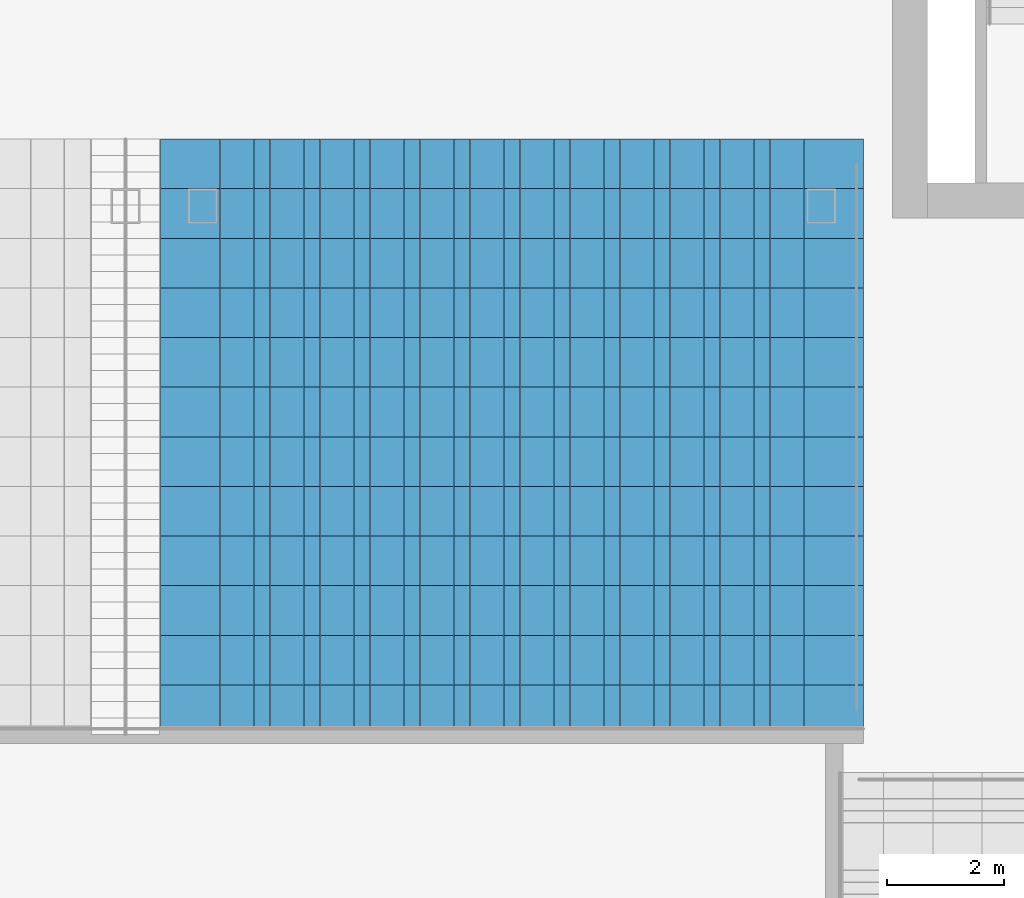
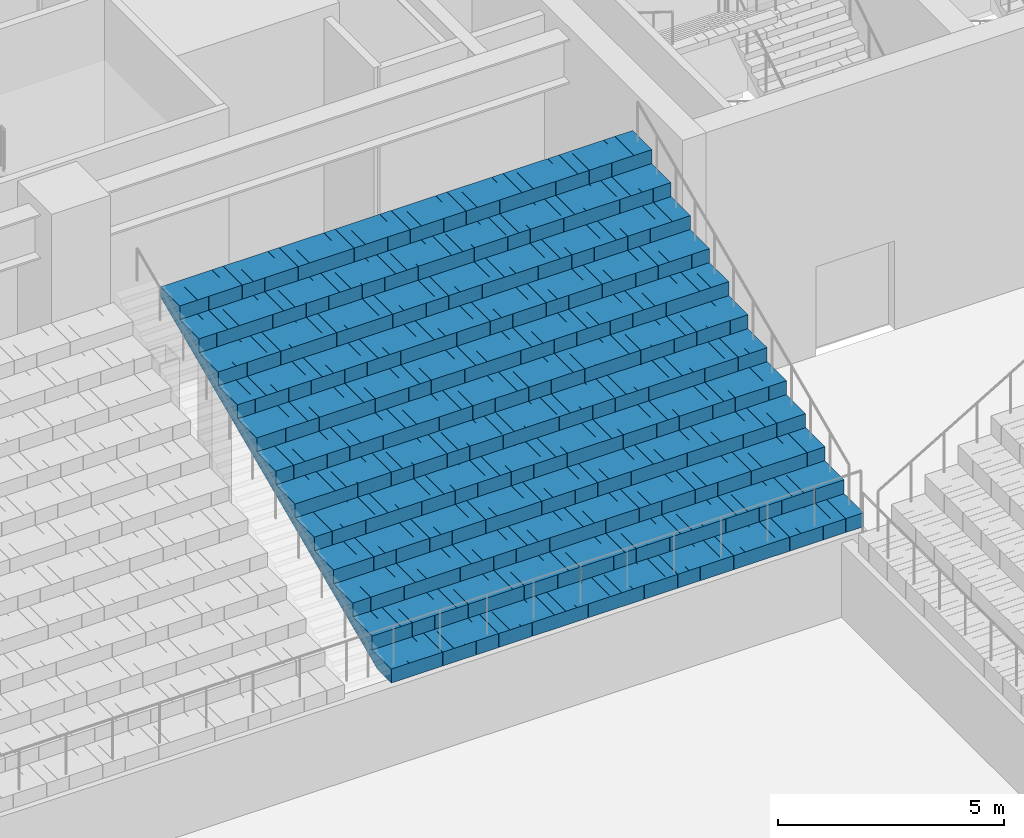
# One storey, part 32 of 62: 1 slab.
"""IFC4 building model written with IfcOpenShell, lengths in metres."""

from ifc_helpers import new_model, si_unit, direction, frame, origin, place, context, subcontext, project, spatial, polyline, outline, extrude, material, layer, layer_set, type_object, element, save


model = new_model("IFC4")

# Units and contexts
model_context = context("Model", 3, precision=1e-05, world=origin(), true_north=direction((0.0, 1.0)))
body_context = subcontext(model_context, "Body", "Model", "MODEL_VIEW")
ifc_project = project(units=[si_unit("LENGTHUNIT", "METRE"), si_unit("AREAUNIT", "SQUARE_METRE"), si_unit("VOLUMEUNIT", "CUBIC_METRE"), si_unit("PLANEANGLEUNIT", "RADIAN"), si_unit("MASSUNIT", "GRAM", prefix="KILO")], contexts=[model_context])

# Site, building, storey
site_placement = place(None, origin())
site = spatial("IfcSite", under=ifc_project, at=site_placement, CompositionType="ELEMENT")
building_placement = place(site_placement, origin())
building = spatial("IfcBuilding", under=site, at=building_placement, Name="Corbelhall Arena Tower", CompositionType="ELEMENT")
storey_placement = place(building_placement, frame((0.0, 0.0, 12.0)))
storey = spatial("IfcBuildingStorey", under=building, at=storey_placement, Name="L01", CompositionType="ELEMENT", Elevation=12.0)

# Slab
ifc_material = material(Name="Precast concrete C40/50", Category="concrete")
ifc_layer = layer(ifc_material, 0.25)
ifc_layer_set = layer_set([ifc_layer], Name="AR-TIER-RAKED")
slab_type = type_object("IfcSlabType", Name="AR-TIER-RAKED", PredefinedType="FLOOR", material=ifc_layer_set)
slab_placement = place(storey_placement, frame((26.47998046875, 15.14990234375, 2.125), z_axis=(0.0, 0.0, 1.0), x_axis=(0.0, 1.0, 0.0)))
element("IfcSlab", 1, at=slab_placement, inside=storey, type_object=slab_type, Name="Tier section LNE", PredefinedType="FLOOR", context=body_context, shape_type="SweptSolid", body=[
    extrude(outline(polyline([(0.0, 0.0), (0.0, 0.375), (0.85009765625, 0.375), (0.85009765625, 0.75), (1.699951171875, 0.75), (1.699951171875, 1.125), (2.550048828125, 1.125), (2.550048828125, 1.5), (3.39990234375, 1.5), (3.39990234375, 1.875), (4.25, 1.875), (4.25, 2.25), (5.10009765625, 2.25), (5.10009765625, 2.625), (5.949951171875, 2.625), (5.949951171875, 3.0), (6.800048828125, 3.0), (6.800048828125, 3.375), (7.64990234375, 3.375), (7.64990234375, 3.75), (8.5, 3.75), (8.5, 4.125), (9.35009765625, 4.125), (9.35009765625, 4.5), (10.199951171875, 4.5), (10.199951171875, 4.875), (10.199951171875, 4.226806640625), (0.619384765625, 0.0), (0.0, 0.0)])), frame((0.0, 6.02001953125, 0.0), z_axis=(0.0, -1.0, 0.0), x_axis=(1.0, 0.0, 0.0)), (0.0, 0.0, 1.0), 0.449951171875),
    extrude(outline(polyline([(0.0, 0.0), (0.0, 0.375), (0.85009765625, 0.375), (0.85009765625, 0.75), (1.699951171875, 0.75), (1.699951171875, 1.125), (2.550048828125, 1.125), (2.550048828125, 1.5), (3.39990234375, 1.5), (3.39990234375, 1.875), (4.25, 1.875), (4.25, 2.25), (5.10009765625, 2.25), (5.10009765625, 2.625), (5.949951171875, 2.625), (5.949951171875, 3.0), (6.800048828125, 3.0), (6.800048828125, 3.375), (7.64990234375, 3.375), (7.64990234375, 3.75), (8.5, 3.75), (8.5, 4.125), (9.35009765625, 4.125), (9.35009765625, 4.5), (10.199951171875, 4.5), (10.199951171875, 4.875), (10.199951171875, 4.226806640625), (0.619384765625, 0.0), (0.0, 0.0)])), frame((0.0, 5.56591796875, 0.0), z_axis=(0.0, -1.0, 0.0), x_axis=(1.0, 0.0, 0.0)), (0.0, 0.0, 1.0), 0.281494140625),
    extrude(outline(polyline([(0.0, 0.0), (0.0, 0.375), (0.85009765625, 0.375), (0.85009765625, 0.75), (1.699951171875, 0.75), (1.699951171875, 1.125), (2.550048828125, 1.125), (2.550048828125, 1.5), (3.39990234375, 1.5), (3.39990234375, 1.875), (4.25, 1.875), (4.25, 2.25), (5.10009765625, 2.25), (5.10009765625, 2.625), (5.949951171875, 2.625), (5.949951171875, 3.0), (6.800048828125, 3.0), (6.800048828125, 3.375), (7.64990234375, 3.375), (7.64990234375, 3.75), (8.5, 3.75), (8.5, 4.125), (9.35009765625, 4.125), (9.35009765625, 4.5), (10.199951171875, 4.5), (10.199951171875, 4.875), (10.199951171875, 4.226806640625), (0.619384765625, 0.0), (0.0, 0.0)])), frame((0.0, 5.280517578125, 0.0), z_axis=(0.0, -1.0, 0.0), x_axis=(1.0, 0.0, 0.0)), (0.0, 0.0, 1.0), 0.281494140625),
    extrude(outline(polyline([(0.0, 0.0), (0.0, 0.375), (0.85009765625, 0.375), (0.85009765625, 0.75), (1.699951171875, 0.75), (1.699951171875, 1.125), (2.550048828125, 1.125), (2.550048828125, 1.5), (3.39990234375, 1.5), (3.39990234375, 1.875), (4.25, 1.875), (4.25, 2.25), (5.10009765625, 2.25), (5.10009765625, 2.625), (5.949951171875, 2.625), (5.949951171875, 3.0), (6.800048828125, 3.0), (6.800048828125, 3.375), (7.64990234375, 3.375), (7.64990234375, 3.75), (8.5, 3.75), (8.5, 4.125), (9.35009765625, 4.125), (9.35009765625, 4.5), (10.199951171875, 4.5), (10.199951171875, 4.875), (10.199951171875, 4.226806640625), (0.619384765625, 0.0), (0.0, 0.0)])), frame((0.0, 4.994873046875, 0.0), z_axis=(0.0, -1.0, 0.0), x_axis=(1.0, 0.0, 0.0)), (0.0, 0.0, 1.0), 0.281494140625),
    extrude(outline(polyline([(0.0, 0.0), (0.0, 0.375), (0.85009765625, 0.375), (0.85009765625, 0.75), (1.699951171875, 0.75), (1.699951171875, 1.125), (2.550048828125, 1.125), (2.550048828125, 1.5), (3.39990234375, 1.5), (3.39990234375, 1.875), (4.25, 1.875), (4.25, 2.25), (5.10009765625, 2.25), (5.10009765625, 2.625), (5.949951171875, 2.625), (5.949951171875, 3.0), (6.800048828125, 3.0), (6.800048828125, 3.375), (7.64990234375, 3.375), (7.64990234375, 3.75), (8.5, 3.75), (8.5, 4.125), (9.35009765625, 4.125), (9.35009765625, 4.5), (10.199951171875, 4.5), (10.199951171875, 4.875), (10.199951171875, 4.226806640625), (0.619384765625, 0.0), (0.0, 0.0)])), frame((0.0, 4.70947265625, 0.0), z_axis=(0.0, -1.0, 0.0), x_axis=(1.0, 0.0, 0.0)), (0.0, 0.0, 1.0), 0.281494140625),
    extrude(outline(polyline([(0.0, 0.0), (0.0, 0.375), (0.85009765625, 0.375), (0.85009765625, 0.75), (1.699951171875, 0.75), (1.699951171875, 1.125), (2.550048828125, 1.125), (2.550048828125, 1.5), (3.39990234375, 1.5), (3.39990234375, 1.875), (4.25, 1.875), (4.25, 2.25), (5.10009765625, 2.25), (5.10009765625, 2.625), (5.949951171875, 2.625), (5.949951171875, 3.0), (6.800048828125, 3.0), (6.800048828125, 3.375), (7.64990234375, 3.375), (7.64990234375, 3.75), (8.5, 3.75), (8.5, 4.125), (9.35009765625, 4.125), (9.35009765625, 4.5), (10.199951171875, 4.5), (10.199951171875, 4.875), (10.199951171875, 4.226806640625), (0.619384765625, 0.0), (0.0, 0.0)])), frame((0.0, 4.423828125, 0.0), z_axis=(0.0, -1.0, 0.0), x_axis=(1.0, 0.0, 0.0)), (0.0, 0.0, 1.0), 0.281494140625),
    extrude(outline(polyline([(0.0, 0.0), (0.0, 0.375), (0.85009765625, 0.375), (0.85009765625, 0.75), (1.699951171875, 0.75), (1.699951171875, 1.125), (2.550048828125, 1.125), (2.550048828125, 1.5), (3.39990234375, 1.5), (3.39990234375, 1.875), (4.25, 1.875), (4.25, 2.25), (5.10009765625, 2.25), (5.10009765625, 2.625), (5.949951171875, 2.625), (5.949951171875, 3.0), (6.800048828125, 3.0), (6.800048828125, 3.375), (7.64990234375, 3.375), (7.64990234375, 3.75), (8.5, 3.75), (8.5, 4.125), (9.35009765625, 4.125), (9.35009765625, 4.5), (10.199951171875, 4.5), (10.199951171875, 4.875), (10.199951171875, 4.226806640625), (0.619384765625, 0.0), (0.0, 0.0)])), frame((0.0, 4.138427734375, 0.0), z_axis=(0.0, -1.0, 0.0), x_axis=(1.0, 0.0, 0.0)), (0.0, 0.0, 1.0), 0.281494140625),
    extrude(outline(polyline([(0.0, 0.0), (0.0, 0.375), (0.85009765625, 0.375), (0.85009765625, 0.75), (1.699951171875, 0.75), (1.699951171875, 1.125), (2.550048828125, 1.125), (2.550048828125, 1.5), (3.39990234375, 1.5), (3.39990234375, 1.875), (4.25, 1.875), (4.25, 2.25), (5.10009765625, 2.25), (5.10009765625, 2.625), (5.949951171875, 2.625), (5.949951171875, 3.0), (6.800048828125, 3.0), (6.800048828125, 3.375), (7.64990234375, 3.375), (7.64990234375, 3.75), (8.5, 3.75), (8.5, 4.125), (9.35009765625, 4.125), (9.35009765625, 4.5), (10.199951171875, 4.5), (10.199951171875, 4.875), (10.199951171875, 4.226806640625), (0.619384765625, 0.0), (0.0, 0.0)])), frame((0.0, 3.852783203125, 0.0), z_axis=(0.0, -1.0, 0.0), x_axis=(1.0, 0.0, 0.0)), (0.0, 0.0, 1.0), 0.281494140625),
    extrude(outline(polyline([(0.0, 0.0), (0.0, 0.375), (0.85009765625, 0.375), (0.85009765625, 0.75), (1.699951171875, 0.75), (1.699951171875, 1.125), (2.550048828125, 1.125), (2.550048828125, 1.5), (3.39990234375, 1.5), (3.39990234375, 1.875), (4.25, 1.875), (4.25, 2.25), (5.10009765625, 2.25), (5.10009765625, 2.625), (5.949951171875, 2.625), (5.949951171875, 3.0), (6.800048828125, 3.0), (6.800048828125, 3.375), (7.64990234375, 3.375), (7.64990234375, 3.75), (8.5, 3.75), (8.5, 4.125), (9.35009765625, 4.125), (9.35009765625, 4.5), (10.199951171875, 4.5), (10.199951171875, 4.875), (10.199951171875, 4.226806640625), (0.619384765625, 0.0), (0.0, 0.0)])), frame((0.0, 3.567138671875, 0.0), z_axis=(0.0, -1.0, 0.0), x_axis=(1.0, 0.0, 0.0)), (0.0, 0.0, 1.0), 0.281494140625),
    extrude(outline(polyline([(0.0, 0.0), (0.0, 0.375), (0.85009765625, 0.375), (0.85009765625, 0.75), (1.699951171875, 0.75), (1.699951171875, 1.125), (2.550048828125, 1.125), (2.550048828125, 1.5), (3.39990234375, 1.5), (3.39990234375, 1.875), (4.25, 1.875), (4.25, 2.25), (5.10009765625, 2.25), (5.10009765625, 2.625), (5.949951171875, 2.625), (5.949951171875, 3.0), (6.800048828125, 3.0), (6.800048828125, 3.375), (7.64990234375, 3.375), (7.64990234375, 3.75), (8.5, 3.75), (8.5, 4.125), (9.35009765625, 4.125), (9.35009765625, 4.5), (10.199951171875, 4.5), (10.199951171875, 4.875), (10.199951171875, 4.226806640625), (0.619384765625, 0.0), (0.0, 0.0)])), frame((0.0, 3.28173828125, 0.0), z_axis=(0.0, -1.0, 0.0), x_axis=(1.0, 0.0, 0.0)), (0.0, 0.0, 1.0), 0.281494140625),
    extrude(outline(polyline([(0.0, 0.0), (0.0, 0.375), (0.85009765625, 0.375), (0.85009765625, 0.75), (1.699951171875, 0.75), (1.699951171875, 1.125), (2.550048828125, 1.125), (2.550048828125, 1.5), (3.39990234375, 1.5), (3.39990234375, 1.875), (4.25, 1.875), (4.25, 2.25), (5.10009765625, 2.25), (5.10009765625, 2.625), (5.949951171875, 2.625), (5.949951171875, 3.0), (6.800048828125, 3.0), (6.800048828125, 3.375), (7.64990234375, 3.375), (7.64990234375, 3.75), (8.5, 3.75), (8.5, 4.125), (9.35009765625, 4.125), (9.35009765625, 4.5), (10.199951171875, 4.5), (10.199951171875, 4.875), (10.199951171875, 4.226806640625), (0.619384765625, 0.0), (0.0, 0.0)])), frame((0.0, 2.99609375, 0.0), z_axis=(0.0, -1.0, 0.0), x_axis=(1.0, 0.0, 0.0)), (0.0, 0.0, 1.0), 0.281494140625),
    extrude(outline(polyline([(0.0, 0.0), (0.0, 0.375), (0.85009765625, 0.375), (0.85009765625, 0.75), (1.699951171875, 0.75), (1.699951171875, 1.125), (2.550048828125, 1.125), (2.550048828125, 1.5), (3.39990234375, 1.5), (3.39990234375, 1.875), (4.25, 1.875), (4.25, 2.25), (5.10009765625, 2.25), (5.10009765625, 2.625), (5.949951171875, 2.625), (5.949951171875, 3.0), (6.800048828125, 3.0), (6.800048828125, 3.375), (7.64990234375, 3.375), (7.64990234375, 3.75), (8.5, 3.75), (8.5, 4.125), (9.35009765625, 4.125), (9.35009765625, 4.5), (10.199951171875, 4.5), (10.199951171875, 4.875), (10.199951171875, 4.226806640625), (0.619384765625, 0.0), (0.0, 0.0)])), frame((0.0, 2.710693359375, 0.0), z_axis=(0.0, -1.0, 0.0), x_axis=(1.0, 0.0, 0.0)), (0.0, 0.0, 1.0), 0.281494140625),
    extrude(outline(polyline([(0.0, 0.0), (0.0, 0.375), (0.85009765625, 0.375), (0.85009765625, 0.75), (1.699951171875, 0.75), (1.699951171875, 1.125), (2.550048828125, 1.125), (2.550048828125, 1.5), (3.39990234375, 1.5), (3.39990234375, 1.875), (4.25, 1.875), (4.25, 2.25), (5.10009765625, 2.25), (5.10009765625, 2.625), (5.949951171875, 2.625), (5.949951171875, 3.0), (6.800048828125, 3.0), (6.800048828125, 3.375), (7.64990234375, 3.375), (7.64990234375, 3.75), (8.5, 3.75), (8.5, 4.125), (9.35009765625, 4.125), (9.35009765625, 4.5), (10.199951171875, 4.5), (10.199951171875, 4.875), (10.199951171875, 4.226806640625), (0.619384765625, 0.0), (0.0, 0.0)])), frame((0.0, 2.425048828125, 0.0), z_axis=(0.0, -1.0, 0.0), x_axis=(1.0, 0.0, 0.0)), (0.0, 0.0, 1.0), 0.281494140625),
    extrude(outline(polyline([(0.0, 0.0), (0.0, 0.375), (0.85009765625, 0.375), (0.85009765625, 0.75), (1.699951171875, 0.75), (1.699951171875, 1.125), (2.550048828125, 1.125), (2.550048828125, 1.5), (3.39990234375, 1.5), (3.39990234375, 1.875), (4.25, 1.875), (4.25, 2.25), (5.10009765625, 2.25), (5.10009765625, 2.625), (5.949951171875, 2.625), (5.949951171875, 3.0), (6.800048828125, 3.0), (6.800048828125, 3.375), (7.64990234375, 3.375), (7.64990234375, 3.75), (8.5, 3.75), (8.5, 4.125), (9.35009765625, 4.125), (9.35009765625, 4.5), (10.199951171875, 4.5), (10.199951171875, 4.875), (10.199951171875, 4.226806640625), (0.619384765625, 0.0), (0.0, 0.0)])), frame((0.0, 2.1396484375, 0.0), z_axis=(0.0, -1.0, 0.0), x_axis=(1.0, 0.0, 0.0)), (0.0, 0.0, 1.0), 0.281494140625),
    extrude(outline(polyline([(0.0, 0.0), (0.0, 0.375), (0.85009765625, 0.375), (0.85009765625, 0.75), (1.699951171875, 0.75), (1.699951171875, 1.125), (2.550048828125, 1.125), (2.550048828125, 1.5), (3.39990234375, 1.5), (3.39990234375, 1.875), (4.25, 1.875), (4.25, 2.25), (5.10009765625, 2.25), (5.10009765625, 2.625), (5.949951171875, 2.625), (5.949951171875, 3.0), (6.800048828125, 3.0), (6.800048828125, 3.375), (7.64990234375, 3.375), (7.64990234375, 3.75), (8.5, 3.75), (8.5, 4.125), (9.35009765625, 4.125), (9.35009765625, 4.5), (10.199951171875, 4.5), (10.199951171875, 4.875), (10.199951171875, 4.226806640625), (0.619384765625, 0.0), (0.0, 0.0)])), frame((0.0, 1.85400390625, 0.0), z_axis=(0.0, -1.0, 0.0), x_axis=(1.0, 0.0, 0.0)), (0.0, 0.0, 1.0), 0.281494140625),
    extrude(outline(polyline([(0.0, 0.0), (0.0, 0.375), (0.85009765625, 0.375), (0.85009765625, 0.75), (1.699951171875, 0.75), (1.699951171875, 1.125), (2.550048828125, 1.125), (2.550048828125, 1.5), (3.39990234375, 1.5), (3.39990234375, 1.875), (4.25, 1.875), (4.25, 2.25), (5.10009765625, 2.25), (5.10009765625, 2.625), (5.949951171875, 2.625), (5.949951171875, 3.0), (6.800048828125, 3.0), (6.800048828125, 3.375), (7.64990234375, 3.375), (7.64990234375, 3.75), (8.5, 3.75), (8.5, 4.125), (9.35009765625, 4.125), (9.35009765625, 4.5), (10.199951171875, 4.5), (10.199951171875, 4.875), (10.199951171875, 4.226806640625), (0.619384765625, 0.0), (0.0, 0.0)])), frame((0.0, 1.568359375, 0.0), z_axis=(0.0, -1.0, 0.0), x_axis=(1.0, 0.0, 0.0)), (0.0, 0.0, 1.0), 0.281494140625),
    extrude(outline(polyline([(0.0, 0.0), (0.0, 0.375), (0.85009765625, 0.375), (0.85009765625, 0.75), (1.699951171875, 0.75), (1.699951171875, 1.125), (2.550048828125, 1.125), (2.550048828125, 1.5), (3.39990234375, 1.5), (3.39990234375, 1.875), (4.25, 1.875), (4.25, 2.25), (5.10009765625, 2.25), (5.10009765625, 2.625), (5.949951171875, 2.625), (5.949951171875, 3.0), (6.800048828125, 3.0), (6.800048828125, 3.375), (7.64990234375, 3.375), (7.64990234375, 3.75), (8.5, 3.75), (8.5, 4.125), (9.35009765625, 4.125), (9.35009765625, 4.5), (10.199951171875, 4.5), (10.199951171875, 4.875), (10.199951171875, 4.226806640625), (0.619384765625, 0.0), (0.0, 0.0)])), frame((0.0, 1.282958984375, 0.0), z_axis=(0.0, -1.0, 0.0), x_axis=(1.0, 0.0, 0.0)), (0.0, 0.0, 1.0), 0.281494140625),
    extrude(outline(polyline([(0.0, 0.0), (0.0, 0.375), (0.85009765625, 0.375), (0.85009765625, 0.75), (1.699951171875, 0.75), (1.699951171875, 1.125), (2.550048828125, 1.125), (2.550048828125, 1.5), (3.39990234375, 1.5), (3.39990234375, 1.875), (4.25, 1.875), (4.25, 2.25), (5.10009765625, 2.25), (5.10009765625, 2.625), (5.949951171875, 2.625), (5.949951171875, 3.0), (6.800048828125, 3.0), (6.800048828125, 3.375), (7.64990234375, 3.375), (7.64990234375, 3.75), (8.5, 3.75), (8.5, 4.125), (9.35009765625, 4.125), (9.35009765625, 4.5), (10.199951171875, 4.5), (10.199951171875, 4.875), (10.199951171875, 4.226806640625), (0.619384765625, 0.0), (0.0, 0.0)])), frame((0.0, 0.997314453125, 0.0), z_axis=(0.0, -1.0, 0.0), x_axis=(1.0, 0.0, 0.0)), (0.0, 0.0, 1.0), 0.281494140625),
    extrude(outline(polyline([(0.0, 0.0), (0.0, 0.375), (0.85009765625, 0.375), (0.85009765625, 0.75), (1.699951171875, 0.75), (1.699951171875, 1.125), (2.550048828125, 1.125), (2.550048828125, 1.5), (3.39990234375, 1.5), (3.39990234375, 1.875), (4.25, 1.875), (4.25, 2.25), (5.10009765625, 2.25), (5.10009765625, 2.625), (5.949951171875, 2.625), (5.949951171875, 3.0), (6.800048828125, 3.0), (6.800048828125, 3.375), (7.64990234375, 3.375), (7.64990234375, 3.75), (8.5, 3.75), (8.5, 4.125), (9.35009765625, 4.125), (9.35009765625, 4.5), (10.199951171875, 4.5), (10.199951171875, 4.875), (10.199951171875, 4.226806640625), (0.619384765625, 0.0), (0.0, 0.0)])), frame((0.0, 0.7119140625, 0.0), z_axis=(0.0, -1.0, 0.0), x_axis=(1.0, 0.0, 0.0)), (0.0, 0.0, 1.0), 0.281494140625),
    extrude(outline(polyline([(0.0, 0.0), (0.0, 0.375), (0.85009765625, 0.375), (0.85009765625, 0.75), (1.699951171875, 0.75), (1.699951171875, 1.125), (2.550048828125, 1.125), (2.550048828125, 1.5), (3.39990234375, 1.5), (3.39990234375, 1.875), (4.25, 1.875), (4.25, 2.25), (5.10009765625, 2.25), (5.10009765625, 2.625), (5.949951171875, 2.625), (5.949951171875, 3.0), (6.800048828125, 3.0), (6.800048828125, 3.375), (7.64990234375, 3.375), (7.64990234375, 3.75), (8.5, 3.75), (8.5, 4.125), (9.35009765625, 4.125), (9.35009765625, 4.5), (10.199951171875, 4.5), (10.199951171875, 4.875), (10.199951171875, 4.226806640625), (0.619384765625, 0.0), (0.0, 0.0)])), frame((0.0, 0.42626953125, 0.0), z_axis=(0.0, -1.0, 0.0), x_axis=(1.0, 0.0, 0.0)), (0.0, 0.0, 1.0), 0.281494140625),
    extrude(outline(polyline([(0.0, 0.0), (0.0, 0.375), (0.85009765625, 0.375), (0.85009765625, 0.75), (1.699951171875, 0.75), (1.699951171875, 1.125), (2.550048828125, 1.125), (2.550048828125, 1.5), (3.39990234375, 1.5), (3.39990234375, 1.875), (4.25, 1.875), (4.25, 2.25), (5.10009765625, 2.25), (5.10009765625, 2.625), (5.949951171875, 2.625), (5.949951171875, 3.0), (6.800048828125, 3.0), (6.800048828125, 3.375), (7.64990234375, 3.375), (7.64990234375, 3.75), (8.5, 3.75), (8.5, 4.125), (9.35009765625, 4.125), (9.35009765625, 4.5), (10.199951171875, 4.5), (10.199951171875, 4.875), (10.199951171875, 4.226806640625), (0.619384765625, 0.0), (0.0, 0.0)])), frame((0.0, 0.140869140625, 0.0), z_axis=(0.0, -1.0, 0.0), x_axis=(1.0, 0.0, 0.0)), (0.0, 0.0, 1.0), 0.281494140625),
    extrude(outline(polyline([(0.0, 0.0), (0.0, 0.375), (0.85009765625, 0.375), (0.85009765625, 0.75), (1.699951171875, 0.75), (1.699951171875, 1.125), (2.550048828125, 1.125), (2.550048828125, 1.5), (3.39990234375, 1.5), (3.39990234375, 1.875), (4.25, 1.875), (4.25, 2.25), (5.10009765625, 2.25), (5.10009765625, 2.625), (5.949951171875, 2.625), (5.949951171875, 3.0), (6.800048828125, 3.0), (6.800048828125, 3.375), (7.64990234375, 3.375), (7.64990234375, 3.75), (8.5, 3.75), (8.5, 4.125), (9.35009765625, 4.125), (9.35009765625, 4.5), (10.199951171875, 4.5), (10.199951171875, 4.875), (10.199951171875, 4.226806640625), (0.619384765625, 0.0), (0.0, 0.0)])), frame((0.0, -0.144775390625, 0.0), z_axis=(0.0, -1.0, 0.0), x_axis=(1.0, 0.0, 0.0)), (0.0, 0.0, 1.0), 0.281494140625),
    extrude(outline(polyline([(0.0, 0.0), (0.0, 0.375), (0.85009765625, 0.375), (0.85009765625, 0.75), (1.699951171875, 0.75), (1.699951171875, 1.125), (2.550048828125, 1.125), (2.550048828125, 1.5), (3.39990234375, 1.5), (3.39990234375, 1.875), (4.25, 1.875), (4.25, 2.25), (5.10009765625, 2.25), (5.10009765625, 2.625), (5.949951171875, 2.625), (5.949951171875, 3.0), (6.800048828125, 3.0), (6.800048828125, 3.375), (7.64990234375, 3.375), (7.64990234375, 3.75), (8.5, 3.75), (8.5, 4.125), (9.35009765625, 4.125), (9.35009765625, 4.5), (10.199951171875, 4.5), (10.199951171875, 4.875), (10.199951171875, 4.226806640625), (0.619384765625, 0.0), (0.0, 0.0)])), frame((0.0, -0.430419921875, 0.0), z_axis=(0.0, -1.0, 0.0), x_axis=(1.0, 0.0, 0.0)), (0.0, 0.0, 1.0), 0.281494140625),
    extrude(outline(polyline([(0.0, 0.0), (0.0, 0.375), (0.85009765625, 0.375), (0.85009765625, 0.75), (1.699951171875, 0.75), (1.699951171875, 1.125), (2.550048828125, 1.125), (2.550048828125, 1.5), (3.39990234375, 1.5), (3.39990234375, 1.875), (4.25, 1.875), (4.25, 2.25), (5.10009765625, 2.25), (5.10009765625, 2.625), (5.949951171875, 2.625), (5.949951171875, 3.0), (6.800048828125, 3.0), (6.800048828125, 3.375), (7.64990234375, 3.375), (7.64990234375, 3.75), (8.5, 3.75), (8.5, 4.125), (9.35009765625, 4.125), (9.35009765625, 4.5), (10.199951171875, 4.5), (10.199951171875, 4.875), (10.199951171875, 4.226806640625), (0.619384765625, 0.0), (0.0, 0.0)])), frame((0.0, -0.7158203125, 0.0), z_axis=(0.0, -1.0, 0.0), x_axis=(1.0, 0.0, 0.0)), (0.0, 0.0, 1.0), 0.281494140625),
    extrude(outline(polyline([(0.0, 0.0), (0.0, 0.375), (0.85009765625, 0.375), (0.85009765625, 0.75), (1.699951171875, 0.75), (1.699951171875, 1.125), (2.550048828125, 1.125), (2.550048828125, 1.5), (3.39990234375, 1.5), (3.39990234375, 1.875), (4.25, 1.875), (4.25, 2.25), (5.10009765625, 2.25), (5.10009765625, 2.625), (5.949951171875, 2.625), (5.949951171875, 3.0), (6.800048828125, 3.0), (6.800048828125, 3.375), (7.64990234375, 3.375), (7.64990234375, 3.75), (8.5, 3.75), (8.5, 4.125), (9.35009765625, 4.125), (9.35009765625, 4.5), (10.199951171875, 4.5), (10.199951171875, 4.875), (10.199951171875, 4.226806640625), (0.619384765625, 0.0), (0.0, 0.0)])), frame((0.0, -1.00146484375, 0.0), z_axis=(0.0, -1.0, 0.0), x_axis=(1.0, 0.0, 0.0)), (0.0, 0.0, 1.0), 0.281494140625),
    extrude(outline(polyline([(0.0, 0.0), (0.0, 0.375), (0.85009765625, 0.375), (0.85009765625, 0.75), (1.699951171875, 0.75), (1.699951171875, 1.125), (2.550048828125, 1.125), (2.550048828125, 1.5), (3.39990234375, 1.5), (3.39990234375, 1.875), (4.25, 1.875), (4.25, 2.25), (5.10009765625, 2.25), (5.10009765625, 2.625), (5.949951171875, 2.625), (5.949951171875, 3.0), (6.800048828125, 3.0), (6.800048828125, 3.375), (7.64990234375, 3.375), (7.64990234375, 3.75), (8.5, 3.75), (8.5, 4.125), (9.35009765625, 4.125), (9.35009765625, 4.5), (10.199951171875, 4.5), (10.199951171875, 4.875), (10.199951171875, 4.226806640625), (0.619384765625, 0.0), (0.0, 0.0)])), frame((0.0, -1.286865234375, 0.0), z_axis=(0.0, -1.0, 0.0), x_axis=(1.0, 0.0, 0.0)), (0.0, 0.0, 1.0), 0.281494140625),
    extrude(outline(polyline([(0.0, 0.0), (0.0, 0.375), (0.85009765625, 0.375), (0.85009765625, 0.75), (1.699951171875, 0.75), (1.699951171875, 1.125), (2.550048828125, 1.125), (2.550048828125, 1.5), (3.39990234375, 1.5), (3.39990234375, 1.875), (4.25, 1.875), (4.25, 2.25), (5.10009765625, 2.25), (5.10009765625, 2.625), (5.949951171875, 2.625), (5.949951171875, 3.0), (6.800048828125, 3.0), (6.800048828125, 3.375), (7.64990234375, 3.375), (7.64990234375, 3.75), (8.5, 3.75), (8.5, 4.125), (9.35009765625, 4.125), (9.35009765625, 4.5), (10.199951171875, 4.5), (10.199951171875, 4.875), (10.199951171875, 4.226806640625), (0.619384765625, 0.0), (0.0, 0.0)])), frame((0.0, -1.572509765625, 0.0), z_axis=(0.0, -1.0, 0.0), x_axis=(1.0, 0.0, 0.0)), (0.0, 0.0, 1.0), 0.281494140625),
    extrude(outline(polyline([(0.0, 0.0), (0.0, 0.375), (0.85009765625, 0.375), (0.85009765625, 0.75), (1.699951171875, 0.75), (1.699951171875, 1.125), (2.550048828125, 1.125), (2.550048828125, 1.5), (3.39990234375, 1.5), (3.39990234375, 1.875), (4.25, 1.875), (4.25, 2.25), (5.10009765625, 2.25), (5.10009765625, 2.625), (5.949951171875, 2.625), (5.949951171875, 3.0), (6.800048828125, 3.0), (6.800048828125, 3.375), (7.64990234375, 3.375), (7.64990234375, 3.75), (8.5, 3.75), (8.5, 4.125), (9.35009765625, 4.125), (9.35009765625, 4.5), (10.199951171875, 4.5), (10.199951171875, 4.875), (10.199951171875, 4.226806640625), (0.619384765625, 0.0), (0.0, 0.0)])), frame((0.0, -1.85791015625, 0.0), z_axis=(0.0, -1.0, 0.0), x_axis=(1.0, 0.0, 0.0)), (0.0, 0.0, 1.0), 0.281494140625),
    extrude(outline(polyline([(0.0, 0.0), (0.0, 0.375), (0.85009765625, 0.375), (0.85009765625, 0.75), (1.699951171875, 0.75), (1.699951171875, 1.125), (2.550048828125, 1.125), (2.550048828125, 1.5), (3.39990234375, 1.5), (3.39990234375, 1.875), (4.25, 1.875), (4.25, 2.25), (5.10009765625, 2.25), (5.10009765625, 2.625), (5.949951171875, 2.625), (5.949951171875, 3.0), (6.800048828125, 3.0), (6.800048828125, 3.375), (7.64990234375, 3.375), (7.64990234375, 3.75), (8.5, 3.75), (8.5, 4.125), (9.35009765625, 4.125), (9.35009765625, 4.5), (10.199951171875, 4.5), (10.199951171875, 4.875), (10.199951171875, 4.226806640625), (0.619384765625, 0.0), (0.0, 0.0)])), frame((0.0, -2.1435546875, 0.0), z_axis=(0.0, -1.0, 0.0), x_axis=(1.0, 0.0, 0.0)), (0.0, 0.0, 1.0), 0.281494140625),
    extrude(outline(polyline([(0.0, 0.0), (0.0, 0.375), (0.85009765625, 0.375), (0.85009765625, 0.75), (1.699951171875, 0.75), (1.699951171875, 1.125), (2.550048828125, 1.125), (2.550048828125, 1.5), (3.39990234375, 1.5), (3.39990234375, 1.875), (4.25, 1.875), (4.25, 2.25), (5.10009765625, 2.25), (5.10009765625, 2.625), (5.949951171875, 2.625), (5.949951171875, 3.0), (6.800048828125, 3.0), (6.800048828125, 3.375), (7.64990234375, 3.375), (7.64990234375, 3.75), (8.5, 3.75), (8.5, 4.125), (9.35009765625, 4.125), (9.35009765625, 4.5), (10.199951171875, 4.5), (10.199951171875, 4.875), (10.199951171875, 4.226806640625), (0.619384765625, 0.0), (0.0, 0.0)])), frame((0.0, -2.42919921875, 0.0), z_axis=(0.0, -1.0, 0.0), x_axis=(1.0, 0.0, 0.0)), (0.0, 0.0, 1.0), 0.281494140625),
    extrude(outline(polyline([(0.0, 0.0), (0.0, 0.375), (0.85009765625, 0.375), (0.85009765625, 0.75), (1.699951171875, 0.75), (1.699951171875, 1.125), (2.550048828125, 1.125), (2.550048828125, 1.5), (3.39990234375, 1.5), (3.39990234375, 1.875), (4.25, 1.875), (4.25, 2.25), (5.10009765625, 2.25), (5.10009765625, 2.625), (5.949951171875, 2.625), (5.949951171875, 3.0), (6.800048828125, 3.0), (6.800048828125, 3.375), (7.64990234375, 3.375), (7.64990234375, 3.75), (8.5, 3.75), (8.5, 4.125), (9.35009765625, 4.125), (9.35009765625, 4.5), (10.199951171875, 4.5), (10.199951171875, 4.875), (10.199951171875, 4.226806640625), (0.619384765625, 0.0), (0.0, 0.0)])), frame((0.0, -2.714599609375, 0.0), z_axis=(0.0, -1.0, 0.0), x_axis=(1.0, 0.0, 0.0)), (0.0, 0.0, 1.0), 0.281494140625),
    extrude(outline(polyline([(0.0, 0.0), (0.0, 0.375), (0.85009765625, 0.375), (0.85009765625, 0.75), (1.699951171875, 0.75), (1.699951171875, 1.125), (2.550048828125, 1.125), (2.550048828125, 1.5), (3.39990234375, 1.5), (3.39990234375, 1.875), (4.25, 1.875), (4.25, 2.25), (5.10009765625, 2.25), (5.10009765625, 2.625), (5.949951171875, 2.625), (5.949951171875, 3.0), (6.800048828125, 3.0), (6.800048828125, 3.375), (7.64990234375, 3.375), (7.64990234375, 3.75), (8.5, 3.75), (8.5, 4.125), (9.35009765625, 4.125), (9.35009765625, 4.5), (10.199951171875, 4.5), (10.199951171875, 4.875), (10.199951171875, 4.226806640625), (0.619384765625, 0.0), (0.0, 0.0)])), frame((0.0, -3.000244140625, 0.0), z_axis=(0.0, -1.0, 0.0), x_axis=(1.0, 0.0, 0.0)), (0.0, 0.0, 1.0), 0.281494140625),
    extrude(outline(polyline([(0.0, 0.0), (0.0, 0.375), (0.85009765625, 0.375), (0.85009765625, 0.75), (1.699951171875, 0.75), (1.699951171875, 1.125), (2.550048828125, 1.125), (2.550048828125, 1.5), (3.39990234375, 1.5), (3.39990234375, 1.875), (4.25, 1.875), (4.25, 2.25), (5.10009765625, 2.25), (5.10009765625, 2.625), (5.949951171875, 2.625), (5.949951171875, 3.0), (6.800048828125, 3.0), (6.800048828125, 3.375), (7.64990234375, 3.375), (7.64990234375, 3.75), (8.5, 3.75), (8.5, 4.125), (9.35009765625, 4.125), (9.35009765625, 4.5), (10.199951171875, 4.5), (10.199951171875, 4.875), (10.199951171875, 4.226806640625), (0.619384765625, 0.0), (0.0, 0.0)])), frame((0.0, -3.28564453125, 0.0), z_axis=(0.0, -1.0, 0.0), x_axis=(1.0, 0.0, 0.0)), (0.0, 0.0, 1.0), 0.281494140625),
    extrude(outline(polyline([(0.0, 0.0), (0.0, 0.375), (0.85009765625, 0.375), (0.85009765625, 0.75), (1.699951171875, 0.75), (1.699951171875, 1.125), (2.550048828125, 1.125), (2.550048828125, 1.5), (3.39990234375, 1.5), (3.39990234375, 1.875), (4.25, 1.875), (4.25, 2.25), (5.10009765625, 2.25), (5.10009765625, 2.625), (5.949951171875, 2.625), (5.949951171875, 3.0), (6.800048828125, 3.0), (6.800048828125, 3.375), (7.64990234375, 3.375), (7.64990234375, 3.75), (8.5, 3.75), (8.5, 4.125), (9.35009765625, 4.125), (9.35009765625, 4.5), (10.199951171875, 4.5), (10.199951171875, 4.875), (10.199951171875, 4.226806640625), (0.619384765625, 0.0), (0.0, 0.0)])), frame((0.0, -3.5712890625, 0.0), z_axis=(0.0, -1.0, 0.0), x_axis=(1.0, 0.0, 0.0)), (0.0, 0.0, 1.0), 0.281494140625),
    extrude(outline(polyline([(0.0, 0.0), (0.0, 0.375), (0.85009765625, 0.375), (0.85009765625, 0.75), (1.699951171875, 0.75), (1.699951171875, 1.125), (2.550048828125, 1.125), (2.550048828125, 1.5), (3.39990234375, 1.5), (3.39990234375, 1.875), (4.25, 1.875), (4.25, 2.25), (5.10009765625, 2.25), (5.10009765625, 2.625), (5.949951171875, 2.625), (5.949951171875, 3.0), (6.800048828125, 3.0), (6.800048828125, 3.375), (7.64990234375, 3.375), (7.64990234375, 3.75), (8.5, 3.75), (8.5, 4.125), (9.35009765625, 4.125), (9.35009765625, 4.5), (10.199951171875, 4.5), (10.199951171875, 4.875), (10.199951171875, 4.226806640625), (0.619384765625, 0.0), (0.0, 0.0)])), frame((0.0, -3.856689453125, 0.0), z_axis=(0.0, -1.0, 0.0), x_axis=(1.0, 0.0, 0.0)), (0.0, 0.0, 1.0), 0.281494140625),
    extrude(outline(polyline([(0.0, 0.0), (0.0, 0.375), (0.85009765625, 0.375), (0.85009765625, 0.75), (1.699951171875, 0.75), (1.699951171875, 1.125), (2.550048828125, 1.125), (2.550048828125, 1.5), (3.39990234375, 1.5), (3.39990234375, 1.875), (4.25, 1.875), (4.25, 2.25), (5.10009765625, 2.25), (5.10009765625, 2.625), (5.949951171875, 2.625), (5.949951171875, 3.0), (6.800048828125, 3.0), (6.800048828125, 3.375), (7.64990234375, 3.375), (7.64990234375, 3.75), (8.5, 3.75), (8.5, 4.125), (9.35009765625, 4.125), (9.35009765625, 4.5), (10.199951171875, 4.5), (10.199951171875, 4.875), (10.199951171875, 4.226806640625), (0.619384765625, 0.0), (0.0, 0.0)])), frame((0.0, -4.142333984375, 0.0), z_axis=(0.0, -1.0, 0.0), x_axis=(1.0, 0.0, 0.0)), (0.0, 0.0, 1.0), 0.281494140625),
    extrude(outline(polyline([(0.0, 0.0), (0.0, 0.375), (0.85009765625, 0.375), (0.85009765625, 0.75), (1.699951171875, 0.75), (1.699951171875, 1.125), (2.550048828125, 1.125), (2.550048828125, 1.5), (3.39990234375, 1.5), (3.39990234375, 1.875), (4.25, 1.875), (4.25, 2.25), (5.10009765625, 2.25), (5.10009765625, 2.625), (5.949951171875, 2.625), (5.949951171875, 3.0), (6.800048828125, 3.0), (6.800048828125, 3.375), (7.64990234375, 3.375), (7.64990234375, 3.75), (8.5, 3.75), (8.5, 4.125), (9.35009765625, 4.125), (9.35009765625, 4.5), (10.199951171875, 4.5), (10.199951171875, 4.875), (10.199951171875, 4.226806640625), (0.619384765625, 0.0), (0.0, 0.0)])), frame((0.0, -4.427978515625, 0.0), z_axis=(0.0, -1.0, 0.0), x_axis=(1.0, 0.0, 0.0)), (0.0, 0.0, 1.0), 0.281494140625),
    extrude(outline(polyline([(0.0, 0.0), (0.0, 0.375), (0.85009765625, 0.375), (0.85009765625, 0.75), (1.699951171875, 0.75), (1.699951171875, 1.125), (2.550048828125, 1.125), (2.550048828125, 1.5), (3.39990234375, 1.5), (3.39990234375, 1.875), (4.25, 1.875), (4.25, 2.25), (5.10009765625, 2.25), (5.10009765625, 2.625), (5.949951171875, 2.625), (5.949951171875, 3.0), (6.800048828125, 3.0), (6.800048828125, 3.375), (7.64990234375, 3.375), (7.64990234375, 3.75), (8.5, 3.75), (8.5, 4.125), (9.35009765625, 4.125), (9.35009765625, 4.5), (10.199951171875, 4.5), (10.199951171875, 4.875), (10.199951171875, 4.226806640625), (0.619384765625, 0.0), (0.0, 0.0)])), frame((0.0, -4.71337890625, 0.0), z_axis=(0.0, -1.0, 0.0), x_axis=(1.0, 0.0, 0.0)), (0.0, 0.0, 1.0), 0.281494140625),
    extrude(outline(polyline([(0.0, 0.0), (0.0, 0.375), (0.85009765625, 0.375), (0.85009765625, 0.75), (1.699951171875, 0.75), (1.699951171875, 1.125), (2.550048828125, 1.125), (2.550048828125, 1.5), (3.39990234375, 1.5), (3.39990234375, 1.875), (4.25, 1.875), (4.25, 2.25), (5.10009765625, 2.25), (5.10009765625, 2.625), (5.949951171875, 2.625), (5.949951171875, 3.0), (6.800048828125, 3.0), (6.800048828125, 3.375), (7.64990234375, 3.375), (7.64990234375, 3.75), (8.5, 3.75), (8.5, 4.125), (9.35009765625, 4.125), (9.35009765625, 4.5), (10.199951171875, 4.5), (10.199951171875, 4.875), (10.199951171875, 4.226806640625), (0.619384765625, 0.0), (0.0, 0.0)])), frame((0.0, -4.9990234375, 0.0), z_axis=(0.0, -1.0, 0.0), x_axis=(1.0, 0.0, 0.0)), (0.0, 0.0, 1.0), 0.281494140625),
    extrude(outline(polyline([(0.0, 0.0), (0.0, 0.375), (0.85009765625, 0.375), (0.85009765625, 0.75), (1.699951171875, 0.75), (1.699951171875, 1.125), (2.550048828125, 1.125), (2.550048828125, 1.5), (3.39990234375, 1.5), (3.39990234375, 1.875), (4.25, 1.875), (4.25, 2.25), (5.10009765625, 2.25), (5.10009765625, 2.625), (5.949951171875, 2.625), (5.949951171875, 3.0), (6.800048828125, 3.0), (6.800048828125, 3.375), (7.64990234375, 3.375), (7.64990234375, 3.75), (8.5, 3.75), (8.5, 4.125), (9.35009765625, 4.125), (9.35009765625, 4.5), (10.199951171875, 4.5), (10.199951171875, 4.875), (10.199951171875, 4.226806640625), (0.619384765625, 0.0), (0.0, 0.0)])), frame((0.0, -5.284423828125, 0.0), z_axis=(0.0, -1.0, 0.0), x_axis=(1.0, 0.0, 0.0)), (0.0, 0.0, 1.0), 0.281494140625),
    extrude(outline(polyline([(0.0, 0.0), (0.0, 0.375), (0.85009765625, 0.375), (0.85009765625, 0.75), (1.699951171875, 0.75), (1.699951171875, 1.125), (2.550048828125, 1.125), (2.550048828125, 1.5), (3.39990234375, 1.5), (3.39990234375, 1.875), (4.25, 1.875), (4.25, 2.25), (5.10009765625, 2.25), (5.10009765625, 2.625), (5.949951171875, 2.625), (5.949951171875, 3.0), (6.800048828125, 3.0), (6.800048828125, 3.375), (7.64990234375, 3.375), (7.64990234375, 3.75), (8.5, 3.75), (8.5, 4.125), (9.35009765625, 4.125), (9.35009765625, 4.5), (10.199951171875, 4.5), (10.199951171875, 4.875), (10.199951171875, 4.226806640625), (0.619384765625, 0.0), (0.0, 0.0)])), frame((0.0, -5.570068359375, 0.0), z_axis=(0.0, -1.0, 0.0), x_axis=(1.0, 0.0, 0.0)), (0.0, 0.0, 1.0), 0.449951171875),
])

save(model, "model.ifc")
